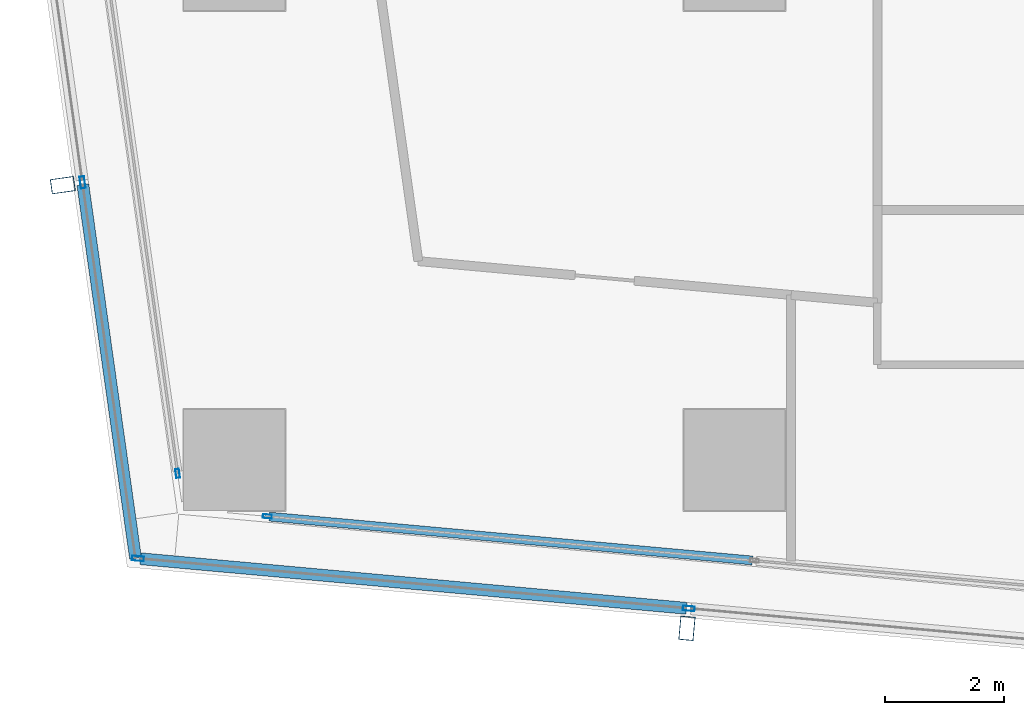
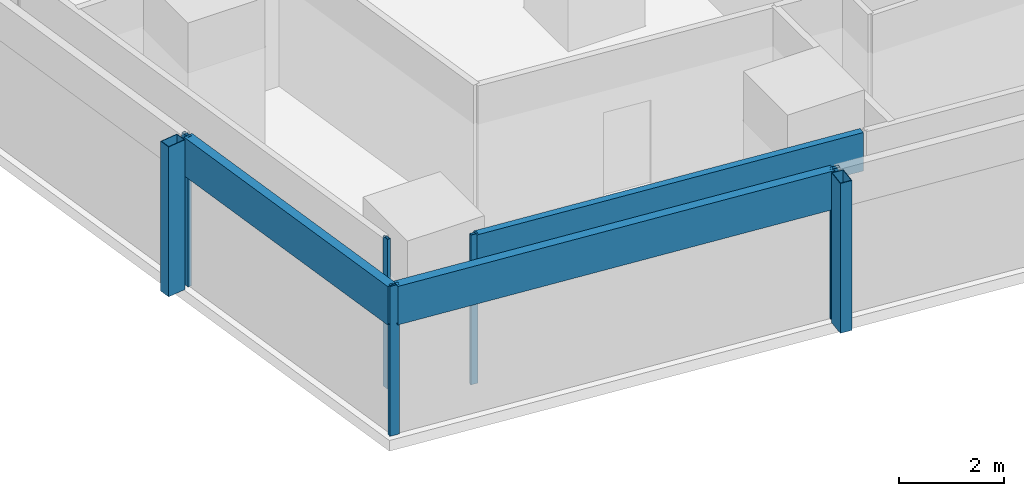
# One storey, part 2 of 40: 10 members, 4 elements without a shape of their own.
"""IFC4 building model written with IfcOpenShell, lengths in metres."""

from ifc_helpers import new_model, si_unit, direction, frame, origin, origin_2d, place, context, subcontext, project, spatial, hollow_rectangle, extrude, material, material_profile, profile_set, type_object, element, aggregate, save


model = new_model("IFC4")

# Units and contexts
model_context = context("Model", 3, precision=1e-05, world=origin(), true_north=direction((0.0, 1.0)))
body_context = subcontext(model_context, "Body", "Model", "MODEL_VIEW")
ifc_project = project(units=[si_unit("LENGTHUNIT", "METRE"), si_unit("AREAUNIT", "SQUARE_METRE"), si_unit("VOLUMEUNIT", "CUBIC_METRE"), si_unit("PLANEANGLEUNIT", "RADIAN"), si_unit("MASSUNIT", "GRAM", prefix="KILO")], contexts=[model_context])

# Site, building, storey
site_placement = place(None, origin())
site = spatial("IfcSite", under=ifc_project, at=site_placement, CompositionType="ELEMENT")
building_placement = place(site_placement, origin())
building = spatial("IfcBuilding", under=site, at=building_placement, Name="Rekha Terrace Tower", CompositionType="ELEMENT")
storey_placement = place(building_placement, frame((0.0, 0.0, 106.550048828125)))
storey = spatial("IfcBuildingStorey", under=building, at=storey_placement, Name="L26", CompositionType="ELEMENT", Elevation=106.550048828125)

# Curtain wall, member
ifc_material_1 = material(Name="Aluminium framing", Category="aluminium")
curtain_wall_type_1 = type_object("IfcCurtainWallType", Name="CW2 double skin outer glazing", PredefinedType="USERDEFINED", material=ifc_material_1)
curtain_wall_1_placement = place(storey_placement, origin())
curtain_wall_1 = element("IfcCurtainWall", 1, at=curtain_wall_1_placement, inside=storey, type_object=curtain_wall_type_1, Name="CW2 double skin outer glazing", ObjectType="DOUBLE SKIN OUTER GLAZING", PredefinedType="USERDEFINED")
ifc_material_2 = material(Name="Steel S355 with fluorocarbon finish", Category="steel")
ifc_material_profile_1 = material_profile(ifc_material_2, hollow_rectangle(XDim=0.25, YDim=0.39990234375, WallThickness=0.012451171875, at=origin_2d()), Name="RHS400x250x12.5")
ifc_profile_set_1 = profile_set([ifc_material_profile_1], Name="Steel S355 with fluorocarbon finish")
member_type_1 = type_object("IfcMemberType", Name="BL1 facade blade RHS 400 x 250", PredefinedType="USERDEFINED", material=ifc_profile_set_1)
member_1_placement = place(storey_placement, frame((16.002197265625, 13.970458984375, 0.0), z_axis=(0.0, 0.0, 1.0), x_axis=(0.995901938317, -0.090439644273, 0.0)))
member_1 = element("IfcMember", 2, at=member_1_placement, type_object=member_type_1, Name="Facade blade", ObjectType="FACADE BLADE", PredefinedType="USERDEFINED", context=body_context, shape_type="SweptSolid", body=[
    extrude(hollow_rectangle(XDim=0.25, YDim=0.39990234375, WallThickness=0.012451171875, at=origin_2d()), origin(), (0.0, 0.0, 1.0), 3.5),
])

curtain_wall_2_placement = place(storey_placement, origin())
curtain_wall_2 = element("IfcCurtainWall", 3, at=curtain_wall_2_placement, inside=storey, type_object=curtain_wall_type_1, Name="CW2 double skin outer glazing", ObjectType="DOUBLE SKIN OUTER GLAZING", PredefinedType="USERDEFINED")
member_2_placement = place(storey_placement, frame((5.51904296875, 21.41455078125, 0.0), z_axis=(0.0, 0.0, 1.0), x_axis=(0.139596532461, -0.990208467003, 0.0)))
member_2 = element("IfcMember", 4, at=member_2_placement, type_object=member_type_1, Name="Facade blade", ObjectType="FACADE BLADE", PredefinedType="USERDEFINED", context=body_context, shape_type="SweptSolid", body=[
    extrude(hollow_rectangle(XDim=0.25, YDim=0.39990234375, WallThickness=0.012451171875, at=origin_2d()), origin(), (0.0, 0.0, 1.0), 3.5),
])

curtain_wall_type_2 = type_object("IfcCurtainWallType", Name="CW1 double skin inner glazing", PredefinedType="USERDEFINED", material=ifc_material_1)
curtain_wall_3_placement = place(storey_placement, origin())
curtain_wall_3 = element("IfcCurtainWall", 5, at=curtain_wall_3_placement, inside=storey, type_object=curtain_wall_type_2, Name="CW1 double skin inner glazing", ObjectType="DOUBLE SKIN INNER GLAZING", PredefinedType="USERDEFINED")
ifc_material_3 = material(Name="Aluminium mullion section", Category="aluminium")
ifc_material_profile_2 = material_profile(ifc_material_3, hollow_rectangle(XDim=0.06494140625, YDim=0.14990234375, WallThickness=0.00390625, at=origin_2d()), Name="AL RHS 65x150")
ifc_profile_set_2 = profile_set([ifc_material_profile_2], Name="Aluminium mullion section")
member_type_2 = type_object("IfcMemberType", Name="CW1 mullion RHS 65 x 150", PredefinedType="MULLION", material=ifc_profile_set_2)
member_3_placement = place(storey_placement, frame((8.953369140625, 15.8505859375, 0.0), z_axis=(0.0, 0.0, 1.0), x_axis=(0.090439811381, 0.995901923142, 0.0)))
member_3 = element("IfcMember", 6, at=member_3_placement, type_object=member_type_2, Name="CW1 mullion 1", PredefinedType="MULLION", context=body_context, shape_type="SweptSolid", body=[
    extrude(hollow_rectangle(XDim=0.06494140625, YDim=0.14990234375, WallThickness=0.00390625, at=origin_2d()), origin(), (0.0, 0.0, 1.0), 3.5),
])

curtain_wall_4_placement = place(storey_placement, origin())
curtain_wall_4 = element("IfcCurtainWall", 7, at=curtain_wall_4_placement, inside=storey, type_object=curtain_wall_type_2, Name="CW1 double skin inner glazing", ObjectType="DOUBLE SKIN INNER GLAZING", PredefinedType="USERDEFINED")
member_4_placement = place(storey_placement, frame((7.448486328125, 16.573974609375, 0.0), z_axis=(0.0, 0.0, 1.0), x_axis=(0.990208394312, 0.139597048082, 0.0)))
member_4 = element("IfcMember", 8, at=member_4_placement, type_object=member_type_2, Name="CW1 mullion 2", PredefinedType="MULLION", context=body_context, shape_type="SweptSolid", body=[
    extrude(hollow_rectangle(XDim=0.06494140625, YDim=0.14990234375, WallThickness=0.00390625, at=origin_2d()), origin(), (0.0, 0.0, 1.0), 3.5),
])
aggregate(curtain_wall_4, [member_4])

# Member
ifc_material_4 = material(Name="Insulated aluminium spandrel box", Category="aluminium")
ifc_material_profile_3 = material_profile(ifc_material_4, hollow_rectangle(XDim=0.14990234375, YDim=0.89990234375, WallThickness=0.0029296875, at=origin_2d()), Name="AL SPANDREL BOX 150x900")
ifc_profile_set_3 = profile_set([ifc_material_profile_3], Name="Insulated aluminium spandrel box")
member_type_3 = type_object("IfcMemberType", Name="CW1 spandrel transom 150 x 900", PredefinedType="USERDEFINED", material=ifc_profile_set_3)
member_5_placement = place(storey_placement, frame((8.98583984375, 15.84765625, 3.050048828125), z_axis=(0.995901551249, -0.090443906483, 0.0), x_axis=(0.090443906483, 0.995901551249, 0.0)))
member_5 = element("IfcMember", 9, at=member_5_placement, type_object=member_type_3, Name="CW1 spandrel transom 1", ObjectType="TRANSOM", PredefinedType="USERDEFINED", context=body_context, shape_type="SweptSolid", body=[
    extrude(hollow_rectangle(XDim=0.14990234375, YDim=0.89990234375, WallThickness=0.0029296875, at=origin_2d()), origin(), (0.0, 0.0, 1.0), 8.1494140625),
])

aggregate(curtain_wall_3, [member_3, member_5])

ifc_material_profile_4 = material_profile(ifc_material_3, hollow_rectangle(XDim=0.080078125, YDim=0.199951171875, WallThickness=0.00390625, at=origin_2d()), Name="AL RHS 80x200")
ifc_profile_set_4 = profile_set([ifc_material_profile_4], Name="Aluminium mullion section")
member_type_4 = type_object("IfcMemberType", Name="CW2 mullion RHS 80 x 200", PredefinedType="MULLION", material=ifc_profile_set_4)
member_6_placement = place(storey_placement, frame((6.780517578125, 15.144287109375, 0.0), z_axis=(0.0, 0.0, 1.0), x_axis=(0.090439811433, 0.995901923137, 0.0)))
member_6 = element("IfcMember", 10, at=member_6_placement, type_object=member_type_4, Name="CW2 mullion 1", PredefinedType="MULLION", context=body_context, shape_type="SweptSolid", body=[
    extrude(hollow_rectangle(XDim=0.080078125, YDim=0.199951171875, WallThickness=0.00390625, at=origin_2d()), origin(), (0.0, 0.0, 1.0), 3.5),
])

member_7_placement = place(storey_placement, frame((16.032470703125, 14.30419921875, 0.0), z_axis=(0.0, 0.0, 1.0), x_axis=(0.090439811433, 0.995901923137, 0.0)))
member_7 = element("IfcMember", 11, at=member_7_placement, type_object=member_type_4, Name="CW2 mullion 2", PredefinedType="MULLION", context=body_context, shape_type="SweptSolid", body=[
    extrude(hollow_rectangle(XDim=0.080078125, YDim=0.199951171875, WallThickness=0.00390625, at=origin_2d()), origin(), (0.0, 0.0, 1.0), 3.5),
])

member_8_placement = place(storey_placement, frame((5.8505859375, 21.46142578125, 0.0), z_axis=(0.0, 0.0, 1.0), x_axis=(0.990208394312, 0.139597048082, 0.0)))
member_8 = element("IfcMember", 12, at=member_8_placement, type_object=member_type_4, Name="CW2 mullion 2", PredefinedType="MULLION", context=body_context, shape_type="SweptSolid", body=[
    extrude(hollow_rectangle(XDim=0.080078125, YDim=0.199951171875, WallThickness=0.00390625, at=origin_2d()), origin(), (0.0, 0.0, 1.0), 3.5),
])

ifc_material_profile_5 = material_profile(ifc_material_4, hollow_rectangle(XDim=0.199951171875, YDim=0.89990234375, WallThickness=0.0029296875, at=origin_2d()), Name="AL SPANDREL BOX 200x900")
ifc_profile_set_5 = profile_set([ifc_material_profile_5], Name="Insulated aluminium spandrel box")
member_type_5 = type_object("IfcMemberType", Name="CW2 spandrel transom 200 x 900", PredefinedType="USERDEFINED", material=ifc_profile_set_5)
member_9_placement = place(storey_placement, frame((6.8203125, 15.140625, 3.050048828125), z_axis=(0.995901458883, -0.090444923548, 0.0), x_axis=(0.090444923548, 0.995901458883, 0.0)))
member_9 = element("IfcMember", 13, at=member_9_placement, type_object=member_type_5, Name="CW2 spandrel transom 1", ObjectType="TRANSOM", PredefinedType="USERDEFINED", context=body_context, shape_type="SweptSolid", body=[
    extrude(hollow_rectangle(XDim=0.199951171875, YDim=0.89990234375, WallThickness=0.0029296875, at=origin_2d()), origin(), (0.0, 0.0, 1.0), 9.210205078125),
])

aggregate(curtain_wall_1, [member_6, member_7, member_9, member_1])

member_10_placement = place(storey_placement, frame((5.856201171875, 21.421875, 3.050048828125), z_axis=(0.139603155616, -0.990207533269, 0.0), x_axis=(0.990207533269, 0.139603155616, 0.0)))
member_10 = element("IfcMember", 14, at=member_10_placement, type_object=member_type_5, Name="CW2 spandrel transom 2", ObjectType="TRANSOM", PredefinedType="USERDEFINED", context=body_context, shape_type="SweptSolid", body=[
    extrude(hollow_rectangle(XDim=0.199951171875, YDim=0.89990234375, WallThickness=0.0029296875, at=origin_2d()), origin(), (0.0, 0.0, 1.0), 6.3359375),
])

aggregate(curtain_wall_2, [member_8, member_10, member_2])

save(model, "model.ifc")
